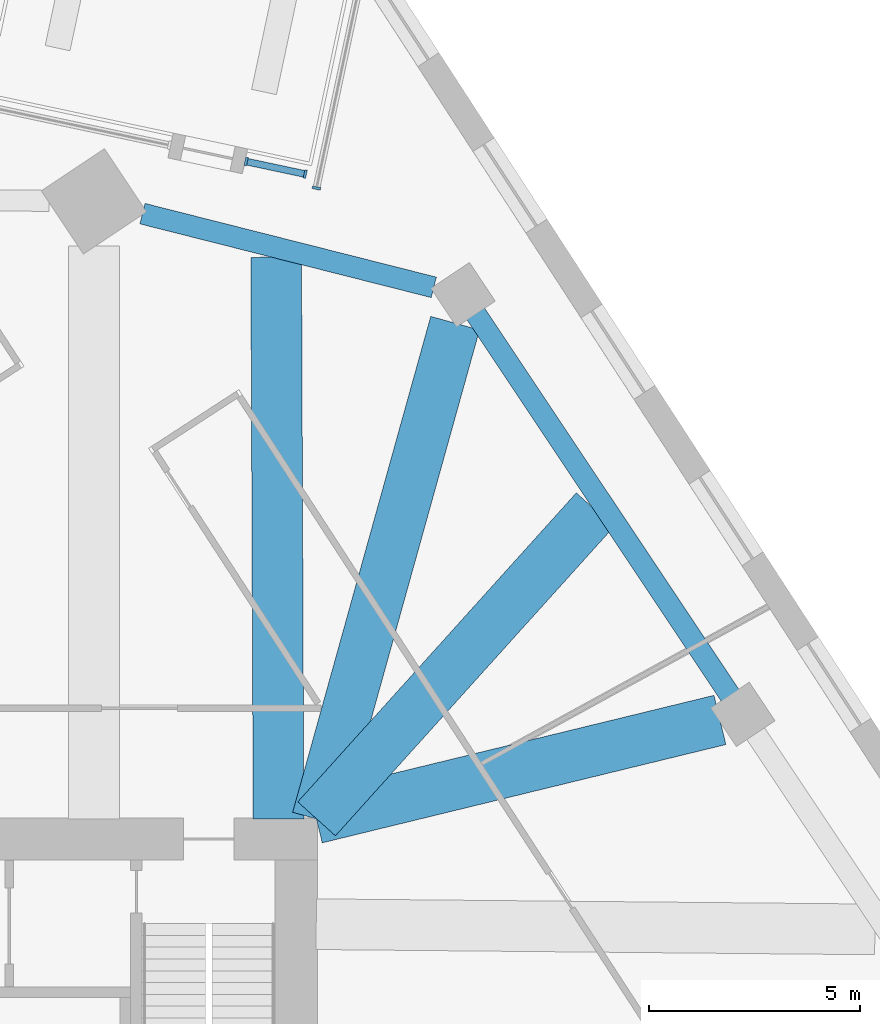
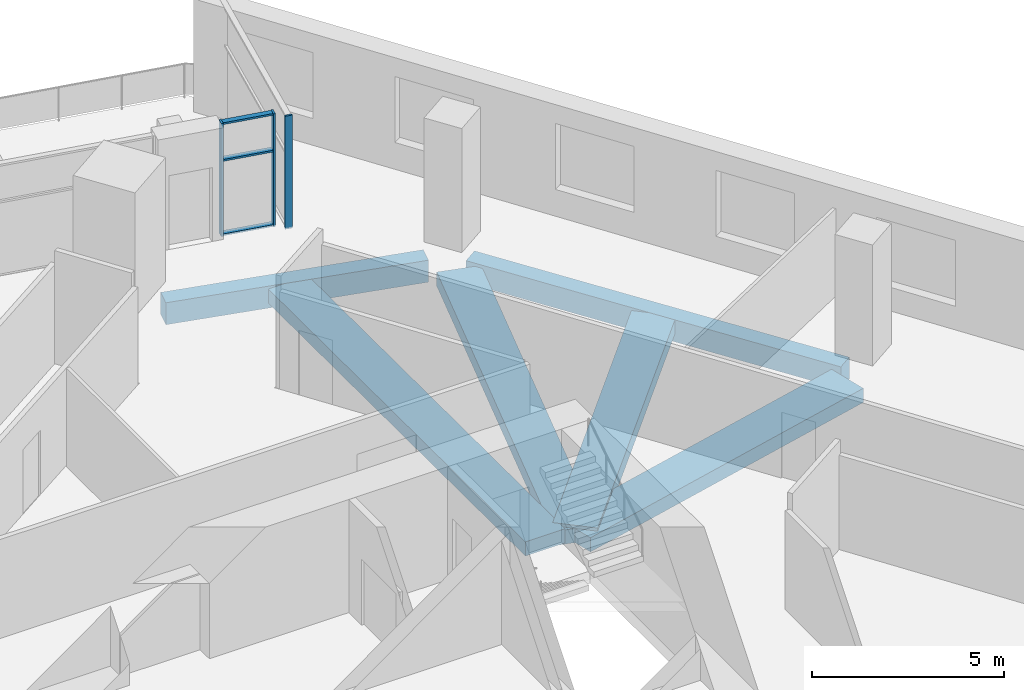
# One storey, part 2 of 12: 6 beams, 6 members, 2 elements without a shape of their own.
"""IFC4 building model written with IfcOpenShell, lengths in metres."""

from ifc_helpers import new_model, si_unit, direction, frame, origin, origin_2d, place, context, subcontext, project, spatial, rectangle, extrude, material, material_profile, profile_set, type_object, element, aggregate, save


model = new_model("IFC4")

# Units and contexts
model_context = context("Model", 3, precision=1e-05, world=origin(), true_north=direction((0.0, 1.0)))
body_context = subcontext(model_context, "Body", "Model", "MODEL_VIEW")
ifc_project = project(units=[si_unit("LENGTHUNIT", "METRE"), si_unit("AREAUNIT", "SQUARE_METRE"), si_unit("VOLUMEUNIT", "CUBIC_METRE"), si_unit("PLANEANGLEUNIT", "RADIAN"), si_unit("MASSUNIT", "GRAM", prefix="KILO")], contexts=[model_context])

# Site, building, storey
site_placement = place(None, origin())
site = spatial("IfcSite", under=ifc_project, at=site_placement, CompositionType="ELEMENT")
building_placement = place(site_placement, origin())
building = spatial("IfcBuilding", under=site, at=building_placement, Name="Dilmun Exchange Tower", CompositionType="ELEMENT")
storey_placement = place(building_placement, frame((0.0, 0.0, 155.699951171875)))
storey = spatial("IfcBuildingStorey", under=building, at=storey_placement, Name="L36", CompositionType="ELEMENT", Elevation=155.699951171875)

# Curtain wall, member
ifc_material_1 = material(Name="Anodised aluminium and clear glass", Category="aluminium")
curtain_wall_type = type_object("IfcCurtainWallType", Name="Garden corner glazing", PredefinedType="NOTDEFINED", material=ifc_material_1)
curtain_wall_1_placement = place(storey_placement, origin())
curtain_wall_1 = element("IfcCurtainWall", 1, at=curtain_wall_1_placement, inside=storey, type_object=curtain_wall_type, Name="Garden corner glazing run GC1.1", PredefinedType="NOTDEFINED")
ifc_material_2 = material(Name="Anodised aluminium", Category="aluminium")
ifc_material_profile_1 = material_profile(ifc_material_2, rectangle(XDim=0.199951171875, YDim=0.06005859375, at=origin_2d()), Name="AL 60x200")
ifc_profile_set_1 = profile_set([ifc_material_profile_1], Name="Anodised aluminium")
member_type_1 = type_object("IfcMemberType", Name="Garden corner glazing mullion 60 x 200", PredefinedType="MULLION", material=ifc_profile_set_1)
member_1_placement = place(storey_placement, frame((12.778076171875, 27.724365234375, 0.0), z_axis=(0.0, 0.0, 1.0), x_axis=(0.978147579121, -0.207911792498, 0.0)))
member_1 = element("IfcMember", 2, at=member_1_placement, type_object=member_type_1, Name="GC1.1 mullion 2", PredefinedType="MULLION", context=body_context, shape_type="SweptSolid", body=[
    extrude(rectangle(XDim=0.199951171875, YDim=0.06005859375, at=origin_2d()), origin(), (0.0, 0.0, 1.0), 3.60009765625),
])
aggregate(curtain_wall_1, [member_1])

# Curtain wall, members
curtain_wall_2_placement = place(storey_placement, origin())
curtain_wall_2 = element("IfcCurtainWall", 3, at=curtain_wall_2_placement, inside=storey, type_object=curtain_wall_type, Name="Garden corner glazing run GC2.1", PredefinedType="NOTDEFINED")
member_2_placement = place(storey_placement, frame((12.511474609375, 28.05712890625, 0.0), z_axis=(0.0, 0.0, 1.0), x_axis=(-0.207918995193, -0.978146048112, 0.0)))
member_2 = element("IfcMember", 4, at=member_2_placement, type_object=member_type_1, Name="GC2.1 mullion 1", PredefinedType="MULLION", context=body_context, shape_type="SweptSolid", body=[
    extrude(rectangle(XDim=0.199951171875, YDim=0.06005859375, at=origin_2d()), origin(), (0.0, 0.0, 1.0), 3.60009765625),
])
member_3_placement = place(storey_placement, frame((11.113525390625, 28.354248046875, 0.0), z_axis=(0.0, 0.0, 1.0), x_axis=(-0.207918995193, -0.978146048112, 0.0)))
member_3 = element("IfcMember", 5, at=member_3_placement, type_object=member_type_1, Name="GC2.1 mullion 2", PredefinedType="MULLION", context=body_context, shape_type="SweptSolid", body=[
    extrude(rectangle(XDim=0.199951171875, YDim=0.06005859375, at=origin_2d()), origin(), (0.0, 0.0, 1.0), 3.60009765625),
])
ifc_material_profile_2 = material_profile(ifc_material_2, rectangle(XDim=0.159912109375, YDim=0.06005859375, at=origin_2d()), Name="AL 60x160")
ifc_profile_set_2 = profile_set([ifc_material_profile_2], Name="Anodised aluminium")
member_type_2 = type_object("IfcMemberType", Name="Garden corner glazing transom 60 x 160", PredefinedType="USERDEFINED", material=ifc_profile_set_2)
member_4_placement = place(storey_placement, frame((12.482177734375, 28.0634765625, 0.030029296875), z_axis=(-0.97814298521, 0.207933403966, 0.0), x_axis=(-0.207933403966, -0.97814298521, 0.0)))
member_4 = element("IfcMember", 6, at=member_4_placement, type_object=member_type_2, Name="GC2.1 transom 1.1", ObjectType="TRANSOM", PredefinedType="USERDEFINED", context=body_context, shape_type="SweptSolid", body=[
    extrude(rectangle(XDim=0.159912109375, YDim=0.06005859375, at=origin_2d()), origin(), (0.0, 0.0, 1.0), 1.369140625),
])
member_5_placement = place(storey_placement, frame((12.482177734375, 28.0634765625, 2.400146484375), z_axis=(-0.97814298521, 0.207933403966, 0.0), x_axis=(-0.207933403966, -0.97814298521, 0.0)))
member_5 = element("IfcMember", 7, at=member_5_placement, type_object=member_type_2, Name="GC2.1 transom 1.2", ObjectType="TRANSOM", PredefinedType="USERDEFINED", context=body_context, shape_type="SweptSolid", body=[
    extrude(rectangle(XDim=0.159912109375, YDim=0.06005859375, at=origin_2d()), origin(), (0.0, 0.0, 1.0), 1.369140625),
])
member_6_placement = place(storey_placement, frame((12.482177734375, 28.0634765625, 3.570068359375), z_axis=(-0.97814298521, 0.207933403966, 0.0), x_axis=(-0.207933403966, -0.97814298521, 0.0)))
member_6 = element("IfcMember", 8, at=member_6_placement, type_object=member_type_2, Name="GC2.1 transom 1.3", ObjectType="TRANSOM", PredefinedType="USERDEFINED", context=body_context, shape_type="SweptSolid", body=[
    extrude(rectangle(XDim=0.159912109375, YDim=0.06005859375, at=origin_2d()), origin(), (0.0, 0.0, 1.0), 1.369140625),
])
aggregate(curtain_wall_2, [member_2, member_3, member_4, member_5, member_6])

# Beams
ifc_material_3 = material(Name="Concrete C40/50", Category="concrete")
ifc_material_profile_3 = material_profile(ifc_material_3, rectangle(XDim=1.199951171875, YDim=0.449951171875, at=origin_2d()), Name="1200 x 450")
ifc_profile_set_3 = profile_set([ifc_material_profile_3], Name="Concrete C40/50")
beam_type_1 = type_object("IfcBeamType", Name="RC band beam 1200 x 450 C40/50", PredefinedType="BEAM", material=ifc_profile_set_3)
beam_1_placement = place(storey_placement, frame((22.33837890625, 15.122802734375, -0.724853515625), z_axis=(-0.971607999859, -0.236596480554, 0.0), x_axis=(0.236596480554, -0.971607999859, 0.0)))
element("IfcBeam", 9, at=beam_1_placement, inside=storey, type_object=beam_type_1, Name="Band beam 15", PredefinedType="BEAM", context=body_context, shape_type="SweptSolid", body=[
    extrude(rectangle(XDim=1.199951171875, YDim=0.449951171875, at=origin_2d()), origin(), (0.0, 0.0, 1.0), 9.84423828125),
])
beam_2_placement = place(storey_placement, frame((16.064453125, 24.524658203125, -0.724853515625), z_axis=(-0.268225004284, -0.963356292904, 0.0), x_axis=(0.963356292904, -0.268225004284, 0.0)))
element("IfcBeam", 10, at=beam_2_placement, inside=storey, type_object=beam_type_1, Name="Band beam 16", PredefinedType="BEAM", context=body_context, shape_type="SweptSolid", body=[
    extrude(rectangle(XDim=1.199951171875, YDim=0.449951171875, at=origin_2d()), origin(), (0.0, 0.0, 1.0), 12.19775390625),
])
beam_3_placement = place(storey_placement, frame((19.381103515625, 20.102783203125, -0.625), z_axis=(-0.669462647611, -0.742845719819, 0.0), x_axis=(0.742845719819, -0.669462647611, 0.0)))
element("IfcBeam", 11, at=beam_3_placement, inside=storey, type_object=beam_type_1, Name="Band beam 31", PredefinedType="BEAM", context=body_context, shape_type="SweptSolid", body=[
    extrude(rectangle(XDim=1.199951171875, YDim=0.449951171875, at=origin_2d()), origin(), (0.0, 0.0, 1.0), 9.857666015625),
])
beam_4_placement = place(storey_placement, frame((11.82421875, 26.087890625, -0.625), z_axis=(0.004107193345, -0.999991565446, 0.0), x_axis=(0.999991565446, 0.004107193345, 0.0)))
element("IfcBeam", 12, at=beam_4_placement, inside=storey, type_object=beam_type_1, Name="Band beam 32", PredefinedType="BEAM", context=body_context, shape_type="SweptSolid", body=[
    extrude(rectangle(XDim=1.199951171875, YDim=0.449951171875, at=origin_2d()), origin(), (0.0, 0.0, 1.0), 13.31494140625),
])
ifc_material_profile_4 = material_profile(ifc_material_3, rectangle(XDim=0.5, YDim=0.699951171875, at=origin_2d()), Name="500 x 700")
ifc_profile_set_4 = profile_set([ifc_material_profile_4], Name="Concrete C40/50")
beam_type_2 = type_object("IfcBeamType", Name="RC ring beam 500 x 700 C40/50", PredefinedType="SPANDREL", material=ifc_profile_set_4)
beam_5_placement = place(storey_placement, frame((22.5908203125, 15.690185546875, -0.75), z_axis=(-0.554731197186, 0.832029626196, 0.0), x_axis=(-0.832029626196, -0.554731197186, 0.0)))
element("IfcBeam", 13, at=beam_5_placement, inside=storey, type_object=beam_type_2, Name="Ring beam 15", PredefinedType="SPANDREL", context=body_context, shape_type="SweptSolid", body=[
    extrude(rectangle(XDim=0.5, YDim=0.699951171875, at=origin_2d()), origin(), (0.0, 0.0, 1.0), 10.904052734375),
])
beam_6_placement = place(storey_placement, frame((15.559326171875, 25.373291015625, -0.75), z_axis=(-0.96947736899, 0.245180812903, 0.0), x_axis=(-0.245180812903, -0.96947736899, 0.0)))
element("IfcBeam", 14, at=beam_6_placement, inside=storey, type_object=beam_type_2, Name="Ring beam 16", PredefinedType="SPANDREL", context=body_context, shape_type="SweptSolid", body=[
    extrude(rectangle(XDim=0.5, YDim=0.699951171875, at=origin_2d()), origin(), (0.0, 0.0, 1.0), 7.12060546875),
])

save(model, "model.ifc")
